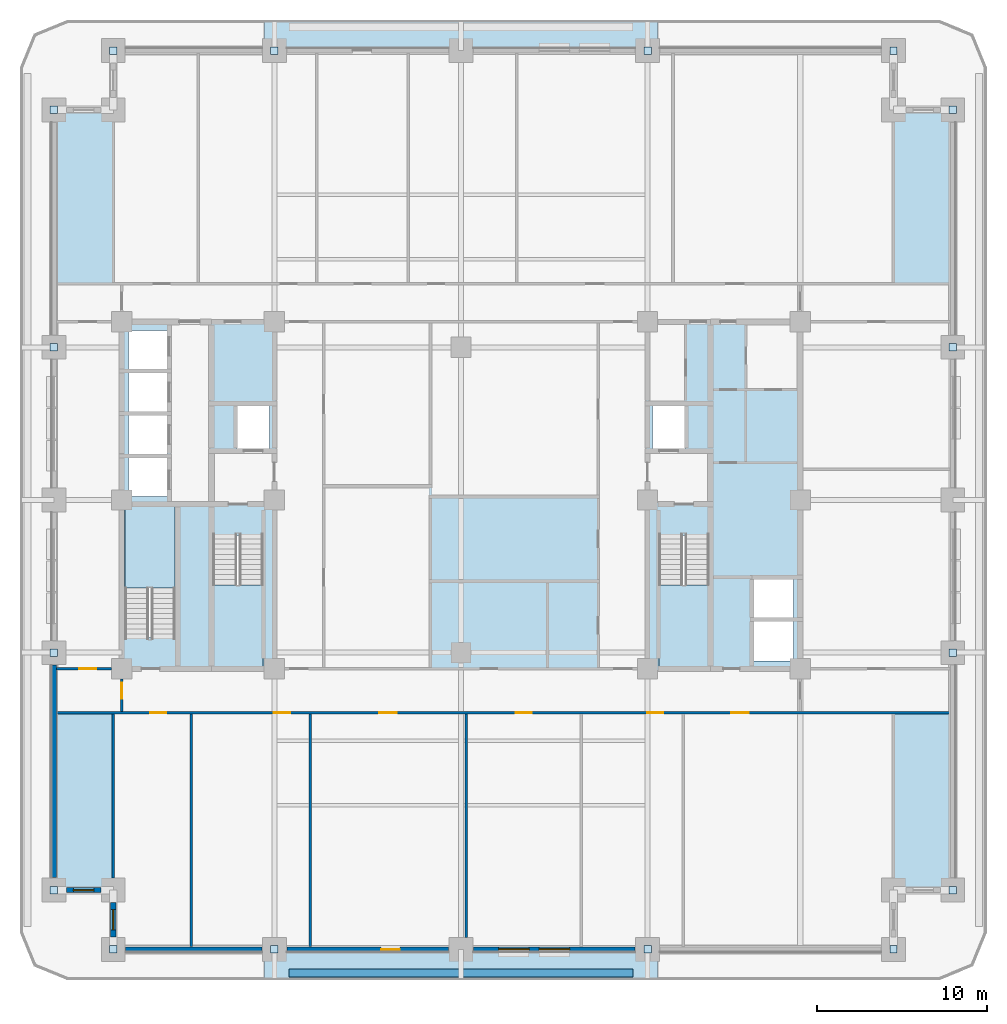
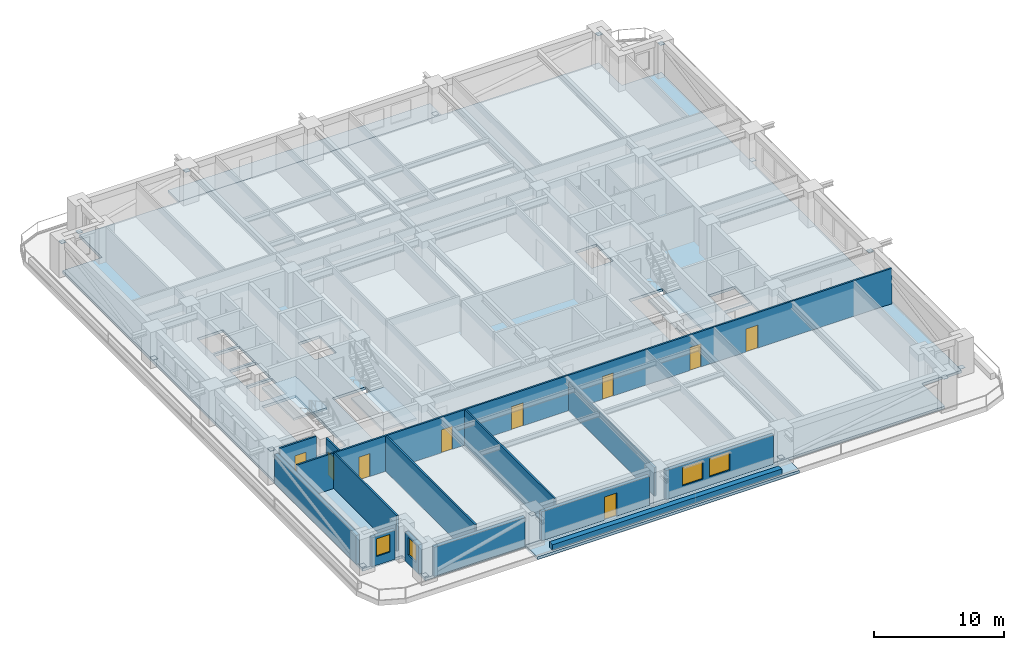
# One storey, part 2 of 15: 16 plates, 14 walls, 9 doors, 6 slabs, 4 windows, 13 openings, 3 elements without a shape of their own.
"""IFC4 building model written with IfcOpenShell, lengths in metres."""

from ifc_helpers import new_model, si_unit, direction, frame, frame_2d, origin, origin_2d, place, context, subcontext, project, spatial, polyline, rectangle, outline, extrude, material, layer, layer_set, type_object, element, fill, aggregate, save


model = new_model("IFC4")

# Units and contexts
model_context = context("Model", 3, precision=1e-05, world=origin(), true_north=direction((0.0, 1.0)))
body_context = subcontext(model_context, "Body", "Model", "MODEL_VIEW")
ifc_project = project(units=[si_unit("LENGTHUNIT", "METRE"), si_unit("AREAUNIT", "SQUARE_METRE"), si_unit("VOLUMEUNIT", "CUBIC_METRE"), si_unit("PLANEANGLEUNIT", "RADIAN"), si_unit("MASSUNIT", "GRAM", prefix="KILO")], contexts=[model_context])

# Site, building, storey
site_placement = place(None, origin())
site = spatial("IfcSite", under=ifc_project, at=site_placement, CompositionType="ELEMENT")
building_placement = place(site_placement, origin())
building = spatial("IfcBuilding", under=site, at=building_placement, Name="Zulmaris Gate Convention Tower", CompositionType="ELEMENT")
storey_placement = place(building_placement, frame((0.0, 0.0, 37.909912109375)))
storey = spatial("IfcBuildingStorey", under=building, at=storey_placement, Name="L08", CompositionType="ELEMENT", Elevation=37.909912109375)

# Plates
ifc_material_1 = material(Name="Steel S460", Category="steel")
ifc_layer_1 = layer(ifc_material_1, 0.02490234375, Name="Steel S460")
ifc_layer_set_1 = layer_set([ifc_layer_1], Name="Steel S460")
plate_type = type_object("IfcPlateType", Name="NP-CAP-440", PredefinedType="USERDEFINED", material=ifc_layer_set_1)
for number, where, z_axis, x_axis, name in (
    (1, (-24.0, -23.0, 0.28759765625), (0.0, 0.0, 1.0), (1.0, 0.0, 0.0), "L08 Steel Node Plate PBR-L08-SW-W-CAP"),
    (2, (-24.0, -9.0, 2.687744140625), (0.0, 0.0, 1.0), (1.0, 0.0, 0.0), "L08 Steel Node Plate PBR-L08-SW-W-CAPB"),
    (3, (-24.0, 9.0, 0.28759765625), (0.0, 0.0, 1.0), (1.0, 0.0, 0.0), "L08 Steel Node Plate PBR-L08-NW-W-CAP"),
    (4, (-24.0, 23.0, 2.687744140625), (0.0, 0.0, 1.0), (1.0, 0.0, 0.0), "L08 Steel Node Plate PBR-L08-NW-W-CAPB"),
    (5, (29.0, -23.0, 0.28759765625), (0.0, 0.0, 1.0), (1.0, 0.0, 0.0), "L08 Steel Node Plate PBR-L08-SE-E-CAP"),
    (6, (29.0, -9.0, 2.687744140625), (0.0, 0.0, 1.0), (1.0, 0.0, 0.0), "L08 Steel Node Plate PBR-L08-SE-E-CAPB"),
    (7, (29.0, 9.0, 0.28759765625), (0.0, 0.0, 1.0), (1.0, 0.0, 0.0), "L08 Steel Node Plate PBR-L08-NE-E-CAP"),
    (8, (29.0, 23.0, 2.687744140625), (0.0, 0.0, 1.0), (1.0, 0.0, 0.0), "L08 Steel Node Plate PBR-L08-NE-E-CAPB"),
    (9, (-20.5, -26.5, 0.28759765625), (0.0, 0.0, 1.0), (1.0, 0.0, 0.0), "L08 Steel Node Plate PBR-L08-SW-S-CAP"),
    (10, (-11.0, -26.5, 2.687744140625), (0.0, 0.0, 1.0), (1.0, 0.0, 0.0), "L08 Steel Node Plate PBR-L08-SW-S-CAPB"),
    (11, (11.0, -26.5, 0.28759765625), (0.0, 0.0, 1.0), (1.0, 0.0, 0.0), "L08 Steel Node Plate PBR-L08-SE-S-CAP"),
    (12, (25.5, -26.5, 2.687744140625), (0.0, 0.0, 1.0), (1.0, 0.0, 0.0), "L08 Steel Node Plate PBR-L08-SE-S-CAPB"),
    (13, (-20.5, 26.5, 0.28759765625), (0.0, 0.0, 1.0), (1.0, 0.0, 0.0), "L08 Steel Node Plate PBR-L08-NW-N-CAP"),
    (14, (-11.0, 26.5, 2.687744140625), (0.0, 0.0, 1.0), (1.0, 0.0, 0.0), "L08 Steel Node Plate PBR-L08-NW-N-CAPB"),
    (15, (11.0, 26.5, 0.28759765625), (0.0, 0.0, 1.0), (1.0, 0.0, 0.0), "L08 Steel Node Plate PBR-L08-NE-N-CAP"),
    (16, (25.5, 26.5, 2.687744140625), (0.0, 0.0, 1.0), (1.0, 0.0, 0.0), "L08 Steel Node Plate PBR-L08-NE-N-CAPB"),
):
    element("IfcPlate", number, at=place(storey_placement, frame(where, z_axis=z_axis, x_axis=x_axis)), inside=storey, type_object=plate_type, Name=name, ObjectType="FLANGE PLATE", PredefinedType="USERDEFINED", context=body_context, shape_type="SweptSolid", body=[
        extrude(rectangle(XDim=0.43994140625, YDim=0.43994140625, at=origin_2d()), origin(), (0.0, 0.0, 1.0), 0.02490234375),
    ])

# Slabs
ifc_material_2 = material(Name="Precast concrete C50/60", Category="concrete")
ifc_layer_2 = layer(ifc_material_2, 0.260009765625, Name="Precast concrete C50/60")
ifc_layer_set_2 = layer_set([ifc_layer_2], Name="Precast concrete C50/60")
slab_type_1 = type_object("IfcSlabType", Name="SL-BAL-260", PredefinedType="FLOOR", material=ifc_layer_set_2)
slab_1_placement = place(storey_placement, frame((0.0, 0.0, -0.300048828125)))
element("IfcSlab", 17, at=slab_1_placement, inside=storey, type_object=slab_type_1, Name="L08 South Tree-Balcony Planter Slab", PredefinedType="FLOOR", context=body_context, shape_type="SweptSolid", body=[
    extrude(outline(polyline([(-11.597900390625, -28.300048828125), (-11.597900390625, -26.5), (11.597900390625, -26.5), (11.597900390625, -28.300048828125), (-11.597900390625, -28.300048828125)])), origin(), (0.0, 0.0, 1.0), 0.260009765625),
])
slab_2_placement = place(storey_placement, frame((0.0, 0.0, -0.300048828125)))
element("IfcSlab", 18, at=slab_2_placement, inside=storey, type_object=slab_type_1, Name="L08 North Tree-Balcony Planter Slab", PredefinedType="FLOOR", context=body_context, shape_type="SweptSolid", body=[
    extrude(outline(polyline([(11.597900390625, 28.300048828125), (11.597900390625, 26.5), (-11.597900390625, 26.5), (-11.597900390625, 28.300048828125), (11.597900390625, 28.300048828125)])), origin(), (0.0, 0.0, 1.0), 0.260009765625),
])
ifc_material_3 = material(Name="Concrete C50/60", Category="concrete")
ifc_layer_3 = layer(ifc_material_3, 0.25, Name="Concrete C50/60")
ifc_layer_set_3 = layer_set([ifc_layer_3], Name="Concrete C50/60")
slab_type_2 = type_object("IfcSlabType", Name="SL-FLR-250", PredefinedType="FLOOR", material=ifc_layer_set_3)
slab_3_placement = place(storey_placement, frame((0.0, 0.0, -0.25)))
element("IfcSlab", 19, at=slab_3_placement, inside=storey, type_object=slab_type_2, Name="L08 Shifted Notched-Square Structural Floor Slab", PredefinedType="FLOOR", context=body_context, shape_type="SweptSolid", body=[
    extrude(outline(polyline([(-20.5, -26.5), (25.5, -26.5), (25.5, -23.0), (29.0, -23.0), (29.0, 23.0), (25.5, 23.0), (25.5, 26.5), (-20.5, 26.5), (-20.5, 23.0), (-24.0, 23.0), (-24.0, -23.0), (-20.5, -23.0), (-20.5, -26.5)]), holes=[polyline([(-14.6201171875, -2.080078125), (-14.6201171875, -9.85009765625), (-11.659912109375, -9.85009765625), (-11.659912109375, -2.080078125), (-14.6201171875, -2.080078125)]), polyline([(11.659912109375, -2.080078125), (11.659912109375, -9.85009765625), (14.6201171875, -9.85009765625), (14.6201171875, -2.080078125), (11.659912109375, -2.080078125)]), polyline([(-16.860107421875, -8.1201171875), (-16.860107421875, -0.35009765625), (-19.820068359375, -0.35009765625), (-19.820068359375, -8.1201171875), (-16.860107421875, -8.1201171875)]), polyline([(-13.199951171875, 3.0), (-11.300048828125, 3.0), (-11.300048828125, 5.60009765625), (-13.199951171875, 5.60009765625), (-13.199951171875, 3.0)]), polyline([(11.300048828125, 3.0), (13.199951171875, 3.0), (13.199951171875, 5.60009765625), (11.300048828125, 5.60009765625), (11.300048828125, 3.0)]), polyline([(-19.60009765625, 0.199951171875), (-17.300048828125, 0.199951171875), (-17.300048828125, 2.5), (-19.60009765625, 2.5), (-19.60009765625, 0.199951171875)]), polyline([(-19.60009765625, 2.699951171875), (-17.300048828125, 2.699951171875), (-17.300048828125, 5.0), (-19.60009765625, 5.0), (-19.60009765625, 2.699951171875)]), polyline([(-19.60009765625, 5.199951171875), (-17.300048828125, 5.199951171875), (-17.300048828125, 7.5), (-19.60009765625, 7.5), (-19.60009765625, 5.199951171875)]), polyline([(-19.60009765625, 7.699951171875), (-17.300048828125, 7.699951171875), (-17.300048828125, 10.0), (-19.60009765625, 10.0), (-19.60009765625, 7.699951171875)]), polyline([(17.199951171875, -9.5), (19.60009765625, -9.5), (19.60009765625, -7.10009765625), (17.199951171875, -7.10009765625), (17.199951171875, -9.5)]), polyline([(17.199951171875, -7.0), (19.60009765625, -7.0), (19.60009765625, -4.60009765625), (17.199951171875, -4.60009765625), (17.199951171875, -7.0)])]), origin(), (0.0, 0.0, 1.0), 0.25),
])

# Stair, slab
ifc_material_4 = material(Name="Concrete C45/55", Category="concrete")
stair_type = type_object("IfcStairType", Name="ST-CORE-DOGLEG", PredefinedType="HALF_TURN_STAIR", material=ifc_material_4)
stair_1_placement = place(storey_placement, origin())
stair_1 = element("IfcStair", 20, at=stair_1_placement, inside=storey, type_object=stair_type, Name="L08 Core Exit Stair ST-1", PredefinedType="HALF_TURN_STAIR")
ifc_layer_4 = layer(ifc_material_4, 0.199951171875, Name="Concrete C45/55")
ifc_layer_set_4 = layer_set([ifc_layer_4], Name="Concrete C45/55")
slab_type_3 = type_object("IfcSlabType", Name="SL-LND-200", PredefinedType="LANDING", material=ifc_layer_set_4)
slab_4_placement = place(storey_placement, frame((0.0, 0.0, 1.5849609375)))
slab_4 = element("IfcSlab", 21, at=slab_4_placement, type_object=slab_type_3, Name="ST-1 landing 1", PredefinedType="LANDING", context=body_context, shape_type="SweptSolid", body=[
    extrude(outline(polyline([(-14.6201171875, -5.0), (-14.6201171875, -9.85009765625), (-11.659912109375, -9.85009765625), (-11.659912109375, -5.0), (-14.6201171875, -5.0)])), origin(), (0.0, 0.0, 1.0), 0.2001953125),
])
aggregate(stair_1, [slab_4])

stair_2_placement = place(storey_placement, origin())
stair_2 = element("IfcStair", 22, at=stair_2_placement, inside=storey, type_object=stair_type, Name="L08 Core Exit Stair ST-2", PredefinedType="HALF_TURN_STAIR")
slab_5_placement = place(storey_placement, frame((0.0, 0.0, 1.5849609375)))
slab_5 = element("IfcSlab", 23, at=slab_5_placement, type_object=slab_type_3, Name="ST-2 landing 1", PredefinedType="LANDING", context=body_context, shape_type="SweptSolid", body=[
    extrude(outline(polyline([(11.659912109375, -5.0), (11.659912109375, -9.85009765625), (14.6201171875, -9.85009765625), (14.6201171875, -5.0), (11.659912109375, -5.0)])), origin(), (0.0, 0.0, 1.0), 0.2001953125),
])
aggregate(stair_2, [slab_5])

stair_3_placement = place(storey_placement, origin())
stair_3 = element("IfcStair", 24, at=stair_3_placement, inside=storey, type_object=stair_type, Name="L08 Core Exit Stair ST-3", PredefinedType="HALF_TURN_STAIR")
slab_6_placement = place(storey_placement, frame((0.0, 0.0, 1.5849609375)))
slab_6 = element("IfcSlab", 25, at=slab_6_placement, type_object=slab_type_3, Name="ST-3 landing 1", PredefinedType="LANDING", context=body_context, shape_type="SweptSolid", body=[
    extrude(outline(polyline([(-16.860107421875, -5.199951171875), (-16.860107421875, -0.35009765625), (-19.820068359375, -0.35009765625), (-19.820068359375, -5.199951171875), (-16.860107421875, -5.199951171875)])), origin(), (0.0, 0.0, 1.0), 0.2001953125),
])
aggregate(stair_3, [slab_6])

# Wall, openings, doors
ifc_material_5 = material(Name="Gypsum Metal Stud Partition")
ifc_layer_5 = layer(ifc_material_5, 0.14990234375, Name="Gypsum Metal Stud Partition")
ifc_layer_set_5 = layer_set([ifc_layer_5], Name="Gypsum Metal Stud Partition")
wall_type_1 = type_object("IfcWallType", Name="PART-150", PredefinedType="PARTITIONING", material=ifc_layer_set_5)
wall_1_placement = place(storey_placement, frame((-23.8349609375, -12.550048828125, 0.0), z_axis=(0.0, 0.0, 1.0), x_axis=(1.0, 0.0, 0.0)))
wall_1 = element("IfcWall", 26, at=wall_1_placement, inside=storey, type_object=wall_type_1, Name="WL-L08-020", PredefinedType="PARTITIONING", context=body_context, shape_type="SweptSolid", body=[
    extrude(rectangle(XDim=52.669921875, YDim=0.14990234375, at=frame_2d((26.3349609375, 0.0))), origin(), (0.0, 0.0, 1.0), 3.320068359375),
])
opening_1_placement = place(wall_1_placement, frame((5.510009765625, 0.0, 0.0)))
opening_1 = element("IfcOpeningElement", 27, at=opening_1_placement, cuts=wall_1, Name="Opening D-11", PredefinedType="OPENING", context=body_context, shape_type="SweptSolid", body=[
    extrude(rectangle(XDim=0.949951171875, YDim=2.14990234375, at=frame_2d((0.47509765625, 1.074951171875))), frame((0.0, 0.0849609375, 0.0), z_axis=(0.0, -1.0, 0.0), x_axis=(1.0, 0.0, 0.0)), (0.0, 0.0, 1.0), 0.169921875),
])
opening_2_placement = place(wall_1_placement, frame((12.81005859375, 0.0, 0.0)))
opening_2 = element("IfcOpeningElement", 28, at=opening_2_placement, cuts=wall_1, Name="Opening D-11", PredefinedType="OPENING", context=body_context, shape_type="SweptSolid", body=[
    extrude(rectangle(XDim=0.949951171875, YDim=2.14990234375, at=frame_2d((0.47509765625, 1.074951171875))), frame((0.0, 0.0849609375, 0.0), z_axis=(0.0, -1.0, 0.0), x_axis=(1.0, 0.0, 0.0)), (0.0, 0.0, 1.0), 0.169921875),
])
opening_3_placement = place(wall_1_placement, frame((19.010009765625, 0.0, 0.0)))
opening_3 = element("IfcOpeningElement", 29, at=opening_3_placement, cuts=wall_1, Name="Opening D-09", PredefinedType="OPENING", context=body_context, shape_type="SweptSolid", body=[
    extrude(rectangle(XDim=1.050048828125, YDim=2.14990234375, at=frame_2d((0.52490234375, 1.074951171875))), frame((0.0, 0.0849609375, 0.0), z_axis=(0.0, -1.0, 0.0), x_axis=(1.0, 0.0, 0.0)), (0.0, 0.0, 1.0), 0.169921875),
])
opening_4_placement = place(wall_1_placement, frame((27.06005859375, 0.0, 0.0)))
opening_4 = element("IfcOpeningElement", 30, at=opening_4_placement, cuts=wall_1, Name="Opening D-11", PredefinedType="OPENING", context=body_context, shape_type="SweptSolid", body=[
    extrude(rectangle(XDim=0.949951171875, YDim=2.14990234375, at=frame_2d((0.47509765625, 1.074951171875))), frame((0.0, 0.0849609375, 0.0), z_axis=(0.0, -1.0, 0.0), x_axis=(1.0, 0.0, 0.0)), (0.0, 0.0, 1.0), 0.169921875),
])
opening_5_placement = place(wall_1_placement, frame((34.81005859375, 0.0, 0.0)))
opening_5 = element("IfcOpeningElement", 31, at=opening_5_placement, cuts=wall_1, Name="Opening D-11", PredefinedType="OPENING", context=body_context, shape_type="SweptSolid", body=[
    extrude(rectangle(XDim=0.949951171875, YDim=2.14990234375, at=frame_2d((0.47509765625, 1.074951171875))), frame((0.0, 0.0849609375, 0.0), z_axis=(0.0, -1.0, 0.0), x_axis=(1.0, 0.0, 0.0)), (0.0, 0.0, 1.0), 0.169921875),
])
opening_6_placement = place(wall_1_placement, frame((39.760009765625, 0.0, 0.0)))
opening_6 = element("IfcOpeningElement", 32, at=opening_6_placement, cuts=wall_1, Name="Opening D-09", PredefinedType="OPENING", context=body_context, shape_type="SweptSolid", body=[
    extrude(rectangle(XDim=1.050048828125, YDim=2.14990234375, at=frame_2d((0.52490234375, 1.074951171875))), frame((0.0, 0.0849609375, 0.0), z_axis=(0.0, -1.0, 0.0), x_axis=(1.0, 0.0, 0.0)), (0.0, 0.0, 1.0), 0.169921875),
])
ifc_material_6 = material(Name="Fire-Rated Steel", Category="steel")
door_type_1 = type_object("IfcDoorType", Name="DR-1050-FD", OperationType="NOTDEFINED", PredefinedType="DOOR", material=ifc_material_6)
door_1_placement = place(opening_3_placement, origin())
door_1 = element("IfcDoor", 33, at=door_1_placement, inside=storey, type_object=door_type_1, Name="L08 Legal Library Room Door 34", OperationType="SINGLE_SWING_RIGHT", OverallHeight=2.14990234375, OverallWidth=1.050048828125, PredefinedType="DOOR", context=body_context, shape_type="SweptSolid", body=[
    extrude(rectangle(XDim=1.050048828125, YDim=2.14990234375, at=frame_2d((0.52490234375, 1.074951171875))), frame((0.0, 0.02490234375, 0.0), z_axis=(0.0, -1.0, 0.0), x_axis=(1.0, 0.0, 0.0)), (0.0, 0.0, 1.0), 0.050048828125),
])
fill(opening_3, door_1)
door_2_placement = place(opening_6_placement, origin())
door_2 = element("IfcDoor", 34, at=door_2_placement, inside=storey, type_object=door_type_1, Name="L08 Quiet Focus Study Door 37", OperationType="SINGLE_SWING_LEFT", OverallHeight=2.14990234375, OverallWidth=1.050048828125, PredefinedType="DOOR", context=body_context, shape_type="SweptSolid", body=[
    extrude(rectangle(XDim=1.050048828125, YDim=2.14990234375, at=frame_2d((0.52490234375, 1.074951171875))), frame((0.0, 0.02490234375, 0.0), z_axis=(0.0, -1.0, 0.0), x_axis=(1.0, 0.0, 0.0)), (0.0, 0.0, 1.0), 0.050048828125),
])
fill(opening_6, door_2)
ifc_material_7 = material(Name="Fire-Rated Timber", Category="wood")
door_type_2 = type_object("IfcDoorType", Name="DR-950-FD", OperationType="NOTDEFINED", PredefinedType="DOOR", material=ifc_material_7)
door_3_placement = place(opening_1_placement, origin())
door_3 = element("IfcDoor", 35, at=door_3_placement, inside=storey, type_object=door_type_2, Name="L08 Research Reading Room Door 32", OperationType="SINGLE_SWING_RIGHT", OverallHeight=2.14990234375, OverallWidth=0.949951171875, PredefinedType="DOOR", context=body_context, shape_type="SweptSolid", body=[
    extrude(rectangle(XDim=0.949951171875, YDim=2.14990234375, at=frame_2d((0.47509765625, 1.074951171875))), frame((0.0, 0.02490234375, 0.0), z_axis=(0.0, -1.0, 0.0), x_axis=(1.0, 0.0, 0.0)), (0.0, 0.0, 1.0), 0.050048828125),
])
fill(opening_1, door_3)
door_4_placement = place(opening_2_placement, origin())
door_4 = element("IfcDoor", 36, at=door_4_placement, inside=storey, type_object=door_type_2, Name="L08 Quiet Focus Study Door 33", OperationType="SINGLE_SWING_LEFT", OverallHeight=2.14990234375, OverallWidth=0.949951171875, PredefinedType="DOOR", context=body_context, shape_type="SweptSolid", body=[
    extrude(rectangle(XDim=0.949951171875, YDim=2.14990234375, at=frame_2d((0.47509765625, 1.074951171875))), frame((0.0, 0.02490234375, 0.0), z_axis=(0.0, -1.0, 0.0), x_axis=(1.0, 0.0, 0.0)), (0.0, 0.0, 1.0), 0.050048828125),
])
fill(opening_2, door_4)
door_5_placement = place(opening_4_placement, origin())
door_5 = element("IfcDoor", 37, at=door_5_placement, inside=storey, type_object=door_type_2, Name="L08 Editorial Focus Suite Door 35", OperationType="SINGLE_SWING_LEFT", OverallHeight=2.14990234375, OverallWidth=0.949951171875, PredefinedType="DOOR", context=body_context, shape_type="SweptSolid", body=[
    extrude(rectangle(XDim=0.949951171875, YDim=2.14990234375, at=frame_2d((0.47509765625, 1.074951171875))), frame((0.0, 0.02490234375, 0.0), z_axis=(0.0, -1.0, 0.0), x_axis=(1.0, 0.0, 0.0)), (0.0, 0.0, 1.0), 0.050048828125),
])
fill(opening_4, door_5)
door_6_placement = place(opening_5_placement, origin())
door_6 = element("IfcDoor", 38, at=door_6_placement, inside=storey, type_object=door_type_2, Name="L08 Research Reading Room Door 36", OperationType="SINGLE_SWING_RIGHT", OverallHeight=2.14990234375, OverallWidth=0.949951171875, PredefinedType="DOOR", context=body_context, shape_type="SweptSolid", body=[
    extrude(rectangle(XDim=0.949951171875, YDim=2.14990234375, at=frame_2d((0.47509765625, 1.074951171875))), frame((0.0, 0.02490234375, 0.0), z_axis=(0.0, -1.0, 0.0), x_axis=(1.0, 0.0, 0.0)), (0.0, 0.0, 1.0), 0.050048828125),
])
fill(opening_5, door_6)

# Wall, opening, door
wall_2_placement = place(storey_placement, frame((-23.8349609375, -9.949951171875, 0.0), z_axis=(0.0, 0.0, 1.0), x_axis=(1.0, 0.0, 0.0)))
wall_2 = element("IfcWall", 39, at=wall_2_placement, inside=storey, type_object=wall_type_1, Name="WL-L08-021", PredefinedType="PARTITIONING", context=body_context, shape_type="SweptSolid", body=[
    extrude(rectangle(XDim=3.22900390625, YDim=0.14990234375, at=frame_2d((1.614501953125, 0.0))), origin(), (0.0, 0.0, 1.0), 3.320068359375),
])
opening_7_placement = place(wall_2_placement, frame((1.3349609375, 0.0, 0.0)))
opening_7 = element("IfcOpeningElement", 40, at=opening_7_placement, cuts=wall_2, Name="Opening D-10", PredefinedType="OPENING", context=body_context, shape_type="SweptSolid", body=[
    extrude(rectangle(XDim=1.0, YDim=2.14990234375, at=frame_2d((0.5, 1.074951171875))), frame((0.0, 0.0849609375, 0.0), z_axis=(0.0, -1.0, 0.0), x_axis=(1.0, 0.0, 0.0)), (0.0, 0.0, 1.0), 0.169921875),
])
door_type_3 = type_object("IfcDoorType", Name="DR-1000-FD", OperationType="NOTDEFINED", PredefinedType="DOOR", material=ifc_material_7)
door_7_placement = place(opening_7_placement, origin())
door_7 = element("IfcDoor", 41, at=door_7_placement, inside=storey, type_object=door_type_3, Name="L08 West Workplace South Door 47", OperationType="SINGLE_SWING_LEFT", OverallHeight=2.14990234375, OverallWidth=1.0, PredefinedType="DOOR", context=body_context, shape_type="SweptSolid", body=[
    extrude(rectangle(XDim=1.0, YDim=2.14990234375, at=frame_2d((0.5, 1.074951171875))), frame((0.0, 0.02490234375, 0.0), z_axis=(0.0, -1.0, 0.0), x_axis=(1.0, 0.0, 0.0)), (0.0, 0.0, 1.0), 0.050048828125),
])
fill(opening_7, door_7)

# Wall
wall_3_placement = place(storey_placement, frame((-20.5, -22.2939453125, 0.0), z_axis=(0.0, 0.0, 1.0), x_axis=(0.0, 1.0, 0.0)))
element("IfcWall", 42, at=wall_3_placement, inside=storey, type_object=wall_type_1, Name="WL-L08-070", PredefinedType="PARTITIONING", context=body_context, shape_type="SweptSolid", body=[
    extrude(rectangle(XDim=9.666015625, YDim=0.14990234375, at=frame_2d((4.8330078125, 0.0))), origin(), (0.0, 0.0, 1.0), 3.320068359375),
])

# Wall, opening, door
wall_4_placement = place(storey_placement, frame((-20.0, -12.471923828125, 0.0), z_axis=(0.0, 0.0, 1.0), x_axis=(0.0, 1.0, 0.0)))
wall_4 = element("IfcWall", 43, at=wall_4_placement, inside=storey, type_object=wall_type_1, Name="WL-L08-072", PredefinedType="PARTITIONING", context=body_context, shape_type="SweptSolid", body=[
    extrude(rectangle(XDim=1.916015625, YDim=0.14990234375, at=frame_2d((0.9580078125, 0.0))), origin(), (0.0, 0.0, 1.0), 3.320068359375),
])
opening_8_placement = place(wall_4_placement, frame((0.7470703125, 0.0, 0.0)))
opening_8 = element("IfcOpeningElement", 44, at=opening_8_placement, cuts=wall_4, Name="Opening D-11", PredefinedType="OPENING", context=body_context, shape_type="SweptSolid", body=[
    extrude(rectangle(XDim=0.949951171875, YDim=2.14990234375, at=frame_2d((0.47509765625, 1.074951171875))), frame((0.0, 0.0849609375, 0.0), z_axis=(0.0, -1.0, 0.0), x_axis=(1.0, 0.0, 0.0)), (0.0, 0.0, 1.0), 0.169921875),
])
door_8_placement = place(opening_8_placement, origin())
door_8 = element("IfcDoor", 45, at=door_8_placement, inside=storey, type_object=door_type_2, Name="L08 SW Spur Door 45", OperationType="SINGLE_SWING_LEFT", OverallHeight=2.14990234375, OverallWidth=0.949951171875, PredefinedType="DOOR", context=body_context, shape_type="SweptSolid", body=[
    extrude(rectangle(XDim=0.949951171875, YDim=2.14990234375, at=frame_2d((0.47509765625, 1.074951171875))), frame((0.0, 0.02490234375, 0.0), z_axis=(0.0, -1.0, 0.0), x_axis=(1.0, 0.0, 0.0)), (0.0, 0.0, 1.0), 0.050048828125),
])
fill(opening_8, door_8)

# Walls
for number, where, z_axis, x_axis, name in (
    (46, (-15.89990234375, -26.3349609375, 0.0), (0.0, 0.0, 1.0), (0.0, 1.0, 0.0), "WL-L08-074"),
    (47, (-8.89990234375, -26.3349609375, 0.0), (0.0, 0.0, 1.0), (0.0, 1.0, 0.0), "WL-L08-076"),
):
    element("IfcWall", number, at=place(storey_placement, frame(where, z_axis=z_axis, x_axis=x_axis)), inside=storey, type_object=wall_type_1, Name=name, PredefinedType="PARTITIONING", context=body_context, shape_type="SweptSolid", body=[
        extrude(rectangle(XDim=13.70703125, YDim=0.14990234375, at=frame_2d((6.853515625, 0.0))), origin(), (0.0, 0.0, 1.0), 3.320068359375),
    ])
wall_5_placement = place(storey_placement, frame((0.300048828125, -25.7939453125, 0.0), z_axis=(0.0, 0.0, 1.0), x_axis=(0.0, 1.0, 0.0)))
element("IfcWall", 48, at=wall_5_placement, inside=storey, type_object=wall_type_1, Name="WL-L08-085", PredefinedType="PARTITIONING", context=body_context, shape_type="SweptSolid", body=[
    extrude(rectangle(XDim=13.166015625, YDim=0.14990234375, at=frame_2d((6.5830078125, 0.0))), origin(), (0.0, 0.0, 1.0), 2.66015625),
])
ifc_material_8 = material(Name="Botanical Green Glazed Precast Concrete C40/50", Category="concrete")
ifc_layer_6 = layer(ifc_material_8, 0.419921875, Name="Botanical Green Glazed Precast Concrete C40/50")
ifc_layer_set_6 = layer_set([ifc_layer_6], Name="Botanical Green Glazed Precast Concrete C40/50")
wall_type_2 = type_object("IfcWallType", Name="PLANTER-CURB-200", PredefinedType="PARAPET", material=ifc_layer_set_6)
wall_6_placement = place(storey_placement, frame((-10.14990234375, -27.8798828125, -0.0400390625), z_axis=(0.0, 0.0, 1.0), x_axis=(1.0, 0.0, 0.0)))
element("IfcWall", 49, at=wall_6_placement, inside=storey, type_object=wall_type_2, Name="L08 Full-Length Balcony Tree Planter Trough", PredefinedType="PARAPET", context=body_context, shape_type="SweptSolid", body=[
    extrude(rectangle(XDim=20.2998046875, YDim=0.47998046875, at=frame_2d((10.14990234375, 0.0))), origin(), (0.0, 0.0, 1.0), 0.52001953125),
])

# Wall, opening, window
ifc_material_9 = material(Name="Precast concrete C40/50", Category="concrete")
ifc_layer_7 = layer(ifc_material_9, 0.300048828125, Name="Precast concrete C40/50")
ifc_layer_set_7 = layer_set([ifc_layer_7], Name="Precast concrete C40/50")
wall_type_3 = type_object("IfcWallType", Name="PRECAST-PIER-300", PredefinedType="STANDARD", material=ifc_layer_set_7)
wall_7_placement = place(storey_placement, frame((-23.27001953125, -23.0, 0.0), z_axis=(0.0, 0.0, 1.0), x_axis=(1.0, 0.0, 0.0)))
wall_7 = element("IfcWall", 50, at=wall_7_placement, inside=storey, type_object=wall_type_3, Name="EW-L08-NOTCH-SW1_0", PredefinedType="STANDARD", context=body_context, shape_type="SweptSolid", body=[
    extrude(rectangle(XDim=2.0400390625, YDim=0.300048828125, at=frame_2d((1.02001953125, 0.0))), origin(), (0.0, 0.0, 1.0), 2.712158203125),
])
opening_9_placement = place(wall_7_placement, frame((0.419921875, 0.0, 0.820068359375)))
opening_9 = element("IfcOpeningElement", 51, at=opening_9_placement, cuts=wall_7, Name="Opening W-04", PredefinedType="OPENING", context=body_context, shape_type="SweptSolid", body=[
    extrude(rectangle(XDim=1.199951171875, YDim=1.64990234375, at=frame_2d((0.60009765625, 0.824951171875))), frame((0.0, 0.16015625, 0.0), z_axis=(0.0, -1.0, 0.0), x_axis=(1.0, 0.0, 0.0)), (0.0, 0.0, 1.0), 0.320068359375),
])
ifc_material_10 = material(Name="Low-E Laminated Double Glazing in Aluminium Frame", Category="aluminium")
window_type_1 = type_object("IfcWindowType", Name="WIN-1200x2100", PartitioningType="SINGLE_PANEL", PredefinedType="WINDOW", material=ifc_material_10)
window_1_placement = place(opening_9_placement, origin())
window_1 = element("IfcWindow", 52, at=window_1_placement, inside=storey, type_object=window_type_1, Name="WN-EW-L08-NOTCH-SW1_0", OverallHeight=1.64990234375, OverallWidth=1.199951171875, PartitioningType="SINGLE_PANEL", PredefinedType="WINDOW", context=body_context, shape_type="SweptSolid", body=[
    extrude(rectangle(XDim=1.199951171875, YDim=1.64990234375, at=frame_2d((0.60009765625, 0.824951171875))), frame((0.0, 0.030029296875, 0.0), z_axis=(0.0, -1.0, 0.0), x_axis=(1.0, 0.0, 0.0)), (0.0, 0.0, 1.0), 0.06005859375),
])
fill(opening_9, window_1)

wall_8_placement = place(storey_placement, frame((-20.5, -23.72998046875, 0.0), z_axis=(0.0, 0.0, 1.0), x_axis=(0.0, -1.0, 0.0)))
wall_8 = element("IfcWall", 53, at=wall_8_placement, inside=storey, type_object=wall_type_3, Name="EW-L08-NOTCH-SW2_0", PredefinedType="STANDARD", context=body_context, shape_type="SweptSolid", body=[
    extrude(rectangle(XDim=2.0400390625, YDim=0.300048828125, at=frame_2d((1.02001953125, 0.0))), origin(), (0.0, 0.0, 1.0), 2.712158203125),
])
opening_10_placement = place(wall_8_placement, frame((0.419921875, 0.0, 0.820068359375)))
opening_10 = element("IfcOpeningElement", 54, at=opening_10_placement, cuts=wall_8, Name="Opening W-04", PredefinedType="OPENING", context=body_context, shape_type="SweptSolid", body=[
    extrude(rectangle(XDim=1.199951171875, YDim=1.64990234375, at=frame_2d((0.60009765625, 0.824951171875))), frame((0.0, 0.16015625, 0.0), z_axis=(0.0, -1.0, 0.0), x_axis=(1.0, 0.0, 0.0)), (0.0, 0.0, 1.0), 0.320068359375),
])
window_2_placement = place(opening_10_placement, origin())
window_2 = element("IfcWindow", 55, at=window_2_placement, inside=storey, type_object=window_type_1, Name="WN-EW-L08-NOTCH-SW2_0", OverallHeight=1.64990234375, OverallWidth=1.199951171875, PartitioningType="SINGLE_PANEL", PredefinedType="WINDOW", context=body_context, shape_type="SweptSolid", body=[
    extrude(rectangle(XDim=1.199951171875, YDim=1.64990234375, at=frame_2d((0.60009765625, 0.824951171875))), frame((0.0, 0.030029296875, 0.0), z_axis=(0.0, -1.0, 0.0), x_axis=(1.0, 0.0, 0.0)), (0.0, 0.0, 1.0), 0.06005859375),
])
fill(opening_10, window_2)

# Wall
wall_9_placement = place(storey_placement, frame((-19.77001953125, -26.5, 0.0), z_axis=(0.0, 0.0, 1.0), x_axis=(1.0, 0.0, 0.0)))
element("IfcWall", 56, at=wall_9_placement, inside=storey, type_object=wall_type_3, Name="EW-L08-S-0_0", PredefinedType="STANDARD", context=body_context, shape_type="SweptSolid", body=[
    extrude(rectangle(XDim=8.0400390625, YDim=0.300048828125, at=frame_2d((4.02001953125, 0.0))), origin(), (0.0, 0.0, 1.0), 2.712158203125),
])

# Wall, opening, door
wall_10_placement = place(storey_placement, frame((-10.27001953125, -26.5, 0.0), z_axis=(0.0, 0.0, 1.0), x_axis=(1.0, 0.0, 0.0)))
wall_10 = element("IfcWall", 57, at=wall_10_placement, inside=storey, type_object=wall_type_3, Name="EW-L08-S-1_0", PredefinedType="STANDARD", context=body_context, shape_type="SweptSolid", body=[
    extrude(rectangle(XDim=9.5400390625, YDim=0.300048828125, at=frame_2d((4.77001953125, 0.0))), origin(), (0.0, 0.0, 1.0), 2.712158203125),
])
opening_11_placement = place(wall_10_placement, frame((5.56005859375, 0.0, 0.0)))
opening_11 = element("IfcOpeningElement", 58, at=opening_11_placement, cuts=wall_10, Name="Opening D-04", PredefinedType="OPENING", context=body_context, shape_type="SweptSolid", body=[
    extrude(rectangle(XDim=1.10009765625, YDim=2.14990234375, at=frame_2d((0.550048828125, 1.074951171875))), frame((0.0, 0.16015625, 0.0), z_axis=(0.0, -1.0, 0.0), x_axis=(1.0, 0.0, 0.0)), (0.0, 0.0, 1.0), 0.320068359375),
])
ifc_material_11 = material(Name="Anodised Aluminium and Laminated Glass", Category="aluminium")
door_type_4 = type_object("IfcDoorType", Name="ED-1100", OperationType="SINGLE_SWING_RIGHT", PredefinedType="DOOR", material=ifc_material_11)
door_9_placement = place(opening_11_placement, origin())
door_9 = element("IfcDoor", 59, at=door_9_placement, inside=storey, type_object=door_type_4, Name="L08 S Planted Terrace Door", OperationType="SINGLE_SWING_RIGHT", OverallHeight=2.14990234375, OverallWidth=1.10009765625, PredefinedType="DOOR", context=body_context, shape_type="SweptSolid", body=[
    extrude(rectangle(XDim=1.10009765625, YDim=2.14990234375, at=frame_2d((0.550048828125, 1.074951171875))), frame((0.0, 0.02490234375, 0.0), z_axis=(0.0, -1.0, 0.0), x_axis=(1.0, 0.0, 0.0)), (0.0, 0.0, 1.0), 0.050048828125),
])
fill(opening_11, door_9)

# Wall, openings, windows
wall_11_placement = place(storey_placement, frame((0.72998046875, -26.5, 0.0), z_axis=(0.0, 0.0, 1.0), x_axis=(1.0, 0.0, 0.0)))
wall_11 = element("IfcWall", 60, at=wall_11_placement, inside=storey, type_object=wall_type_3, Name="EW-L08-S-2_0", PredefinedType="STANDARD", context=body_context, shape_type="SweptSolid", body=[
    extrude(rectangle(XDim=9.5400390625, YDim=0.300048828125, at=frame_2d((4.77001953125, 0.0))), origin(), (0.0, 0.0, 1.0), 2.712158203125),
])
opening_12_placement = place(wall_11_placement, frame((1.485107421875, 0.0, 0.780029296875)))
opening_12 = element("IfcOpeningElement", 61, at=opening_12_placement, cuts=wall_11, Name="Opening W-02", PredefinedType="OPENING", context=body_context, shape_type="SweptSolid", body=[
    extrude(rectangle(XDim=1.800048828125, YDim=1.719970703125, at=frame_2d((0.89990234375, 0.85986328125))), frame((0.0, 0.16015625, 0.0), z_axis=(0.0, -1.0, 0.0), x_axis=(1.0, 0.0, 0.0)), (0.0, 0.0, 1.0), 0.320068359375),
])
opening_13_placement = place(wall_11_placement, frame((3.8701171875, 0.0, 0.780029296875)))
opening_13 = element("IfcOpeningElement", 62, at=opening_13_placement, cuts=wall_11, Name="Opening W-02", PredefinedType="OPENING", context=body_context, shape_type="SweptSolid", body=[
    extrude(rectangle(XDim=1.800048828125, YDim=1.719970703125, at=frame_2d((0.89990234375, 0.85986328125))), frame((0.0, 0.16015625, 0.0), z_axis=(0.0, -1.0, 0.0), x_axis=(1.0, 0.0, 0.0)), (0.0, 0.0, 1.0), 0.320068359375),
])
window_type_2 = type_object("IfcWindowType", Name="WIN-1800x2200", PartitioningType="SINGLE_PANEL", PredefinedType="WINDOW", material=ifc_material_10)
window_3_placement = place(opening_12_placement, origin())
window_3 = element("IfcWindow", 63, at=window_3_placement, inside=storey, type_object=window_type_2, Name="WN-EW-L08-S-2_0-1", OverallHeight=1.719970703125, OverallWidth=1.800048828125, PartitioningType="SINGLE_PANEL", PredefinedType="WINDOW", context=body_context, shape_type="SweptSolid", body=[
    extrude(rectangle(XDim=1.800048828125, YDim=1.719970703125, at=frame_2d((0.89990234375, 0.85986328125))), frame((0.0, 0.030029296875, 0.0), z_axis=(0.0, -1.0, 0.0), x_axis=(1.0, 0.0, 0.0)), (0.0, 0.0, 1.0), 0.06005859375),
])
fill(opening_12, window_3)
window_4_placement = place(opening_13_placement, origin())
window_4 = element("IfcWindow", 64, at=window_4_placement, inside=storey, type_object=window_type_2, Name="WN-EW-L08-S-2_0-2", OverallHeight=1.719970703125, OverallWidth=1.800048828125, PartitioningType="SINGLE_PANEL", PredefinedType="WINDOW", context=body_context, shape_type="SweptSolid", body=[
    extrude(rectangle(XDim=1.800048828125, YDim=1.719970703125, at=frame_2d((0.89990234375, 0.85986328125))), frame((0.0, 0.030029296875, 0.0), z_axis=(0.0, -1.0, 0.0), x_axis=(1.0, 0.0, 0.0)), (0.0, 0.0, 1.0), 0.06005859375),
])
fill(opening_13, window_4)

# Wall
wall_12_placement = place(storey_placement, frame((-24.0, -9.72998046875, 0.0), z_axis=(0.0, 0.0, 1.0), x_axis=(0.0, -1.0, 0.0)))
element("IfcWall", 65, at=wall_12_placement, inside=storey, type_object=wall_type_3, Name="EW-L08-W-0_0", PredefinedType="STANDARD", context=body_context, shape_type="SweptSolid", body=[
    extrude(rectangle(XDim=12.5400390625, YDim=0.300048828125, at=frame_2d((6.27001953125, 0.0))), origin(), (0.0, 0.0, 1.0), 2.712158203125),
])

save(model, "model.ifc")
